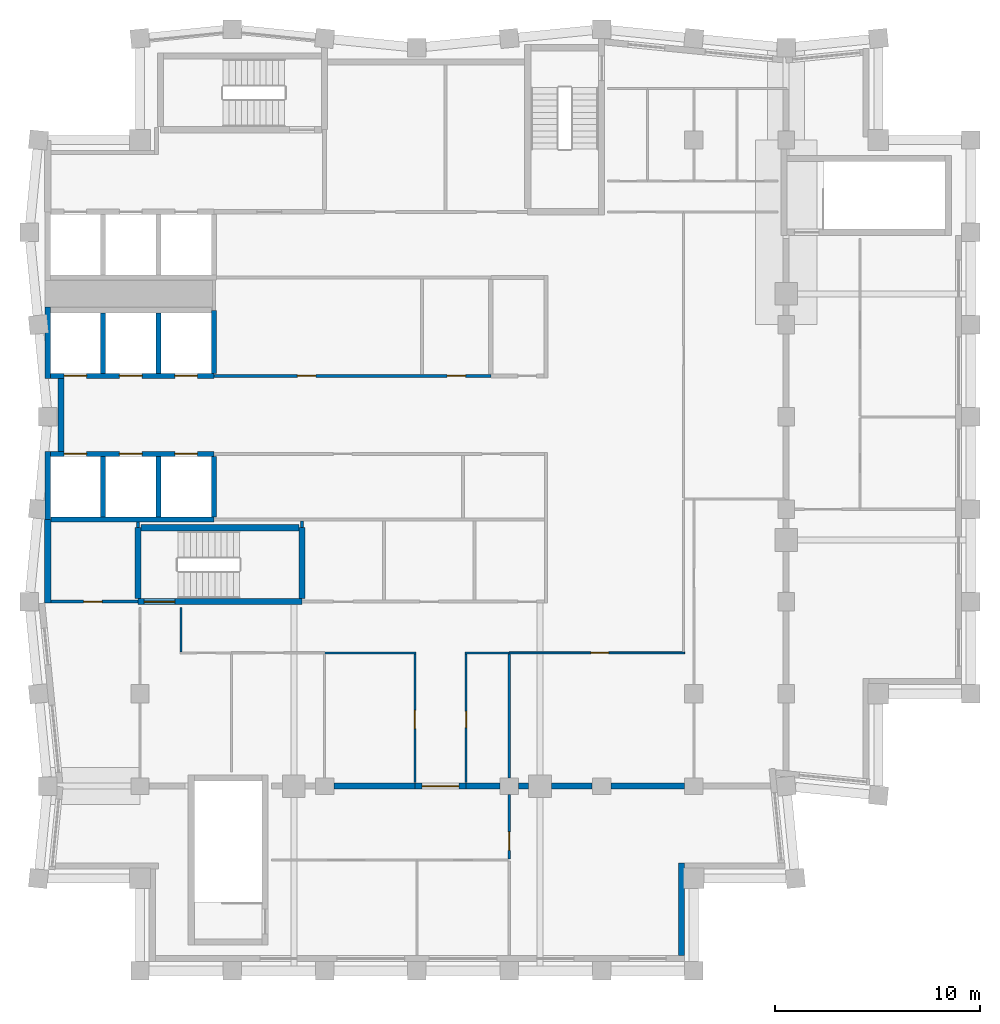
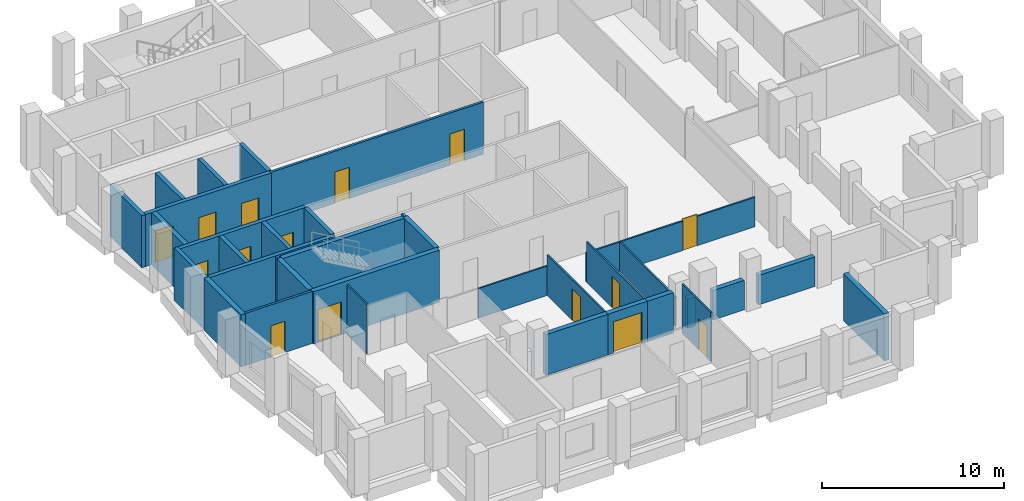
# One storey, part 3 of 7: 36 walls, 15 doors, 15 openings.
"""IFC4 building model written with IfcOpenShell, lengths in metres."""

from ifc_helpers import new_model, si_unit, direction, frame, frame_2d, origin, place, context, subcontext, project, spatial, rectangle, extrude, material, layer, layer_set, type_object, element, fill, save


model = new_model("IFC4")

# Units and contexts
model_context = context("Model", 3, precision=1e-05, world=origin(), true_north=direction((0.0, 1.0)))
body_context = subcontext(model_context, "Body", "Model", "MODEL_VIEW")
ifc_project = project(units=[si_unit("LENGTHUNIT", "METRE"), si_unit("AREAUNIT", "SQUARE_METRE"), si_unit("VOLUMEUNIT", "CUBIC_METRE"), si_unit("PLANEANGLEUNIT", "RADIAN"), si_unit("MASSUNIT", "GRAM", prefix="KILO")], contexts=[model_context])

# Site, building, storey
site_placement = place(None, origin())
site = spatial("IfcSite", under=ifc_project, at=site_placement, CompositionType="ELEMENT")
building_placement = place(site_placement, origin())
building = spatial("IfcBuilding", under=site, at=building_placement, Name="Brondeck Convention Tower", CompositionType="ELEMENT")
storey_placement = place(building_placement, frame((0.0, 0.0, 279.0)))
storey = spatial("IfcBuildingStorey", under=building, at=storey_placement, Name="L69", CompositionType="ELEMENT", Elevation=279.0)

# Wall
ifc_material_1 = material(Name="Concrete compartment wall C30/37", Category="concrete")
ifc_layer_1 = layer(ifc_material_1, 0.300048828125)
ifc_layer_set_1 = layer_set([ifc_layer_1], Name="Compartment wall 300")
wall_type_1 = type_object("IfcWallType", Name="Compartment wall 300", PredefinedType="PARTITIONING", material=ifc_layer_set_1)
wall_1_placement = place(storey_placement, frame((13.955078125, 27.0, 0.0), z_axis=(0.0, 0.0, 1.0), x_axis=(1.0, 0.0, 0.0)))
element("IfcWall", 1, at=wall_1_placement, inside=storey, type_object=wall_type_1, Name="FLR-L69-W014", PredefinedType="PARTITIONING", context=body_context, shape_type="SweptSolid", body=[
    extrude(rectangle(XDim=3.94482421875, YDim=0.300048828125, at=frame_2d((1.972412109375, 0.0))), origin(), (0.0, 0.0, 1.0), 2.72998046875),
])

# Wall, opening, door
wall_2_placement = place(storey_placement, frame((20.39990234375, 27.0, 0.0), z_axis=(0.0, 0.0, 1.0), x_axis=(-1.0, 0.0, 0.0)))
wall_2 = element("IfcWall", 2, at=wall_2_placement, inside=storey, type_object=wall_type_1, Name="FLR-L69-W015", PredefinedType="PARTITIONING", context=body_context, shape_type="SweptSolid", body=[
    extrude(rectangle(XDim=2.5, YDim=0.300048828125, at=frame_2d((1.25, 0.0))), origin(), (0.0, 0.0, 1.0), 2.72998046875),
])
opening_1_placement = place(wall_2_placement, frame((0.35009765625, 0.0, 0.0)))
opening_1 = element("IfcOpeningElement", 3, at=opening_1_placement, cuts=wall_2, Name="Opening EX-D-020", PredefinedType="OPENING", context=body_context, shape_type="SweptSolid", body=[
    extrude(rectangle(XDim=1.800048828125, YDim=2.10009765625, at=frame_2d((0.89990234375, 1.050048828125))), frame((0.0, 0.159912109375, 0.0), z_axis=(0.0, -1.0, 0.0), x_axis=(1.0, 0.0, 0.0)), (0.0, 0.0, 1.0), 0.320068359375),
])
ifc_material_2 = material(Name="Steel fire door pair", Category="steel")
door_type_1 = type_object("IfcDoorType", Name="Fire door pair 1800", OperationType="DOUBLE_DOOR_SINGLE_SWING", PredefinedType="DOOR", material=ifc_material_2)
door_1_placement = place(opening_1_placement, origin())
door_1 = element("IfcDoor", 4, at=door_1_placement, inside=storey, type_object=door_type_1, Name="Door EX-D-020", OperationType="DOUBLE_DOOR_SINGLE_SWING", OverallHeight=2.10009765625, OverallWidth=1.800048828125, PredefinedType="DOOR", context=body_context, shape_type="SweptSolid", body=[
    extrude(rectangle(XDim=1.800048828125, YDim=2.10009765625, at=frame_2d((0.89990234375, 1.050048828125))), frame((0.0, 0.02490234375, 0.0), z_axis=(0.0, -1.0, 0.0), x_axis=(1.0, 0.0, 0.0)), (0.0, 0.0, 1.0), 0.050048828125),
])
fill(opening_1, door_1)

# Walls
wall_3_placement = place(storey_placement, frame((20.39990234375, 27.0, 0.0), z_axis=(0.0, 0.0, 1.0), x_axis=(1.0, 0.0, 0.0)))
element("IfcWall", 5, at=wall_3_placement, inside=storey, type_object=wall_type_1, Name="FLR-L69-W016", PredefinedType="PARTITIONING", context=body_context, shape_type="SweptSolid", body=[
    extrude(rectangle(XDim=1.64501953125, YDim=0.300048828125, at=frame_2d((0.822509765625, 0.0))), origin(), (0.0, 0.0, 1.0), 2.72998046875),
])
wall_4_placement = place(storey_placement, frame((22.955078125, 27.0, 0.0), z_axis=(0.0, 0.0, 1.0), x_axis=(1.0, 0.0, 0.0)))
element("IfcWall", 6, at=wall_4_placement, inside=storey, type_object=wall_type_1, Name="FLR-L69-W017", PredefinedType="PARTITIONING", context=body_context, shape_type="SweptSolid", body=[
    extrude(rectangle(XDim=0.489990234375, YDim=0.300048828125, at=frame_2d((0.2451171875, 0.0))), origin(), (0.0, 0.0, 1.0), 1.97998046875),
])
wall_5_placement = place(storey_placement, frame((24.554931640625, 27.0, 0.0), z_axis=(0.0, 0.0, 1.0), x_axis=(1.0, 0.0, 0.0)))
element("IfcWall", 7, at=wall_5_placement, inside=storey, type_object=wall_type_1, Name="FLR-L69-W018", PredefinedType="PARTITIONING", context=body_context, shape_type="SweptSolid", body=[
    extrude(rectangle(XDim=1.989990234375, YDim=0.300048828125, at=frame_2d((0.9951171875, 0.0))), origin(), (0.0, 0.0, 1.0), 1.97998046875),
])
wall_6_placement = place(storey_placement, frame((27.455078125, 27.0, 0.0), z_axis=(0.0, 0.0, 1.0), x_axis=(1.0, 0.0, 0.0)))
element("IfcWall", 8, at=wall_6_placement, inside=storey, type_object=wall_type_1, Name="FLR-L69-W019", PredefinedType="PARTITIONING", context=body_context, shape_type="SweptSolid", body=[
    extrude(rectangle(XDim=3.58984375, YDim=0.300048828125, at=frame_2d((1.794921875, 0.0))), origin(), (0.0, 0.0, 1.0), 1.97998046875),
])

# Wall, opening, door
ifc_material_3 = material(Name="Concrete C50/60", Category="concrete")
ifc_layer_2 = layer(ifc_material_3, 0.14990234375)
ifc_layer_set_2 = layer_set([ifc_layer_2], Name="Core beam-seat wall 150 Concrete C50/60")
wall_type_2 = type_object("IfcWallType", Name="Core beam-seat wall 150 Concrete C50/60", PredefinedType="SHEAR", material=ifc_layer_set_2)
wall_7_placement = place(storey_placement, frame((0.14990234375, 36.0, 0.0), z_axis=(0.0, 0.0, 1.0), x_axis=(1.0, 0.0, 0.0)))
wall_7 = element("IfcWall", 9, at=wall_7_placement, inside=storey, type_object=wall_type_2, Name="L69 core wall", PredefinedType="SHEAR", context=body_context, shape_type="SweptSolid", body=[
    extrude(rectangle(XDim=4.25, YDim=0.14990234375, at=frame_2d((2.125, 0.0))), origin(), (0.0, 0.0, 1.0), 3.5),
])
opening_2_placement = place(wall_7_placement, frame((1.60009765625, 0.0, 0.0)))
opening_2 = element("IfcOpeningElement", 10, at=opening_2_placement, cuts=wall_7, Name="Opening C39-06", PredefinedType="OPENING", context=body_context, shape_type="SweptSolid", body=[
    extrude(rectangle(XDim=0.89990234375, YDim=2.10009765625, at=frame_2d((0.449951171875, 1.050048828125))), frame((0.0, 0.0849609375, 0.0), z_axis=(0.0, -1.0, 0.0), x_axis=(1.0, 0.0, 0.0)), (0.0, 0.0, 1.0), 0.169921875),
])
ifc_material_4 = material(Name="Steel fire door", Category="steel")
door_type_2 = type_object("IfcDoorType", Name="Room door 900x2100 EI 60", OperationType="NOTDEFINED", PredefinedType="DOOR", material=ifc_material_4)
door_2_placement = place(opening_2_placement, origin())
door_2 = element("IfcDoor", 11, at=door_2_placement, inside=storey, type_object=door_type_2, Name="L69 Room door FRW-1", OperationType="SINGLE_SWING_LEFT", OverallHeight=2.10009765625, OverallWidth=0.89990234375, PredefinedType="DOOR", context=body_context, shape_type="SweptSolid", body=[
    extrude(rectangle(XDim=0.89990234375, YDim=2.10009765625, at=frame_2d((0.449951171875, 1.050048828125))), frame((0.0, 0.02490234375, 0.0), z_axis=(0.0, -1.0, 0.0), x_axis=(1.0, 0.0, 0.0)), (0.0, 0.0, 1.0), 0.050048828125),
])
fill(opening_2, door_2)

# Wall, openings, doors
wall_8_placement = place(storey_placement, frame((8.10009765625, 47.0, 0.0), z_axis=(0.0, 0.0, 1.0), x_axis=(1.0, 0.0, 0.0)))
wall_8 = element("IfcWall", 12, at=wall_8_placement, inside=storey, type_object=wall_type_2, Name="L69 core wall", PredefinedType="SHEAR", context=body_context, shape_type="SweptSolid", body=[
    extrude(rectangle(XDim=13.5, YDim=0.14990234375, at=frame_2d((6.75, 0.0))), origin(), (0.0, 0.0, 1.0), 3.5),
])
opening_3_placement = place(wall_8_placement, frame((4.074951171875, 0.0, 0.0)))
opening_3 = element("IfcOpeningElement", 13, at=opening_3_placement, cuts=wall_8, Name="Opening C39-07", PredefinedType="OPENING", context=body_context, shape_type="SweptSolid", body=[
    extrude(rectangle(XDim=0.89990234375, YDim=2.10009765625, at=frame_2d((0.449951171875, 1.050048828125))), frame((0.0, 0.0849609375, 0.0), z_axis=(0.0, -1.0, 0.0), x_axis=(1.0, 0.0, 0.0)), (0.0, 0.0, 1.0), 0.169921875),
])
opening_4_placement = place(wall_8_placement, frame((11.375, 0.0, 0.0)))
opening_4 = element("IfcOpeningElement", 14, at=opening_4_placement, cuts=wall_8, Name="Opening C39-08", PredefinedType="OPENING", context=body_context, shape_type="SweptSolid", body=[
    extrude(rectangle(XDim=0.89990234375, YDim=2.10009765625, at=frame_2d((0.449951171875, 1.050048828125))), frame((0.0, 0.0849609375, 0.0), z_axis=(0.0, -1.0, 0.0), x_axis=(1.0, 0.0, 0.0)), (0.0, 0.0, 1.0), 0.169921875),
])
door_3_placement = place(opening_3_placement, origin())
door_3 = element("IfcDoor", 15, at=door_3_placement, inside=storey, type_object=door_type_2, Name="L69 Room door FZ-N-8.1-1", OperationType="SINGLE_SWING_LEFT", OverallHeight=2.10009765625, OverallWidth=0.89990234375, PredefinedType="DOOR", context=body_context, shape_type="SweptSolid", body=[
    extrude(rectangle(XDim=0.89990234375, YDim=2.10009765625, at=frame_2d((0.449951171875, 1.050048828125))), frame((0.0, 0.02490234375, 0.0), z_axis=(0.0, -1.0, 0.0), x_axis=(1.0, 0.0, 0.0)), (0.0, 0.0, 1.0), 0.050048828125),
])
fill(opening_3, door_3)
door_4_placement = place(opening_4_placement, origin())
door_4 = element("IfcDoor", 16, at=door_4_placement, inside=storey, type_object=door_type_2, Name="L69 Room door FZ-N-8.1-2", OperationType="SINGLE_SWING_RIGHT", OverallHeight=2.10009765625, OverallWidth=0.89990234375, PredefinedType="DOOR", context=body_context, shape_type="SweptSolid", body=[
    extrude(rectangle(XDim=0.89990234375, YDim=2.10009765625, at=frame_2d((0.449951171875, 1.050048828125))), frame((0.0, 0.02490234375, 0.0), z_axis=(0.0, -1.0, 0.0), x_axis=(1.0, 0.0, 0.0)), (0.0, 0.0, 1.0), 0.050048828125),
])
fill(opening_4, door_4)

# Walls
wall_9_placement = place(storey_placement, frame((4.39990234375, 39.60009765625, 0.0), z_axis=(0.0, 0.0, 1.0), x_axis=(0.0, 1.0, 0.0)))
element("IfcWall", 17, at=wall_9_placement, inside=storey, type_object=wall_type_2, Name="L69 core wall", PredefinedType="SHEAR", context=body_context, shape_type="SweptSolid", body=[
    extrude(rectangle(XDim=0.27490234375, YDim=0.14990234375, at=frame_2d((0.137451171875, 0.0))), origin(), (0.0, 0.0, 1.0), 3.5),
])
wall_10_placement = place(storey_placement, frame((12.39990234375, 39.60009765625, 0.0), z_axis=(0.0, 0.0, 1.0), x_axis=(0.0, 1.0, 0.0)))
element("IfcWall", 18, at=wall_10_placement, inside=storey, type_object=wall_type_2, Name="L69 core wall", PredefinedType="SHEAR", context=body_context, shape_type="SweptSolid", body=[
    extrude(rectangle(XDim=0.324951171875, YDim=0.14990234375, at=frame_2d((0.16259765625, 0.0))), origin(), (0.0, 0.0, 1.0), 3.5),
])
ifc_layer_3 = layer(ifc_material_3, 0.300048828125)
ifc_layer_set_3 = layer_set([ifc_layer_3], Name="Core outer wall 300 Concrete C50/60")
wall_type_3 = type_object("IfcWallType", Name="Core outer wall 300 Concrete C50/60", PredefinedType="SHEAR", material=ifc_layer_set_3)
wall_11_placement = place(storey_placement, frame((0.0, 35.925048828125, 0.0), z_axis=(0.0, 0.0, 1.0), x_axis=(0.0, 1.0, 0.0)))
element("IfcWall", 19, at=wall_11_placement, inside=storey, type_object=wall_type_3, Name="L69 core wall", PredefinedType="SHEAR", context=body_context, shape_type="SweptSolid", body=[
    extrude(rectangle(XDim=4.074951171875, YDim=0.300048828125, at=frame_2d((2.03759765625, 0.0))), origin(), (0.0, 0.0, 1.0), 3.5),
])
wall_12_placement = place(storey_placement, frame((0.64990234375, 43.324951171875, 0.0), z_axis=(0.0, 0.0, 1.0), x_axis=(0.0, 1.0, 0.0)))
element("IfcWall", 20, at=wall_12_placement, inside=storey, type_object=wall_type_3, Name="L69 core wall", PredefinedType="SHEAR", context=body_context, shape_type="SweptSolid", body=[
    extrude(rectangle(XDim=3.550048828125, YDim=0.300048828125, at=frame_2d((1.77490234375, 0.0))), origin(), (0.0, 0.0, 1.0), 3.5),
])
ifc_material_5 = material(Name="Precast concrete C50/60 bronze finish", Category="concrete")
ifc_layer_4 = layer(ifc_material_5, 0.070068359375, Name="Bronze precast facing")
ifc_material_6 = material(Name="Mineral wool")
ifc_layer_5 = layer(ifc_material_6, 0.159912109375, Name="Insulation")
ifc_material_7 = material(Name="Concrete C35/45", Category="concrete")
ifc_layer_6 = layer(ifc_material_7, 0.070068359375, Name="Backing")
ifc_layer_set_4 = layer_set([ifc_layer_4, ifc_layer_5, ifc_layer_6], Name="External infill wall, precast concrete C50/60 bronze facing")
wall_type_4 = type_object("IfcWallType", Name="External infill wall, precast concrete C50/60 bronze facing", PredefinedType="SOLIDWALL", material=ifc_layer_set_4)
wall_13_placement = place(storey_placement, frame((30.89990234375, 23.25, 0.0), z_axis=(0.0, 0.0, 1.0), x_axis=(0.0, -1.0, 0.0)))
element("IfcWall", 21, at=wall_13_placement, inside=storey, type_object=wall_type_4, Name="ENV-EW-L69-P3-NC-SEB18-01", PredefinedType="SOLIDWALL", context=body_context, shape_type="SweptSolid", body=[
    extrude(rectangle(XDim=4.5, YDim=0.300048828125, at=frame_2d((2.25, 0.0))), origin(), (0.0, 0.0, 1.0), 3.14990234375),
])
ifc_layer_7 = layer(ifc_material_3, 0.25)
ifc_layer_set_5 = layer_set([ifc_layer_7], Name="Lift shaft wall 250 Concrete C50/60")
wall_type_5 = type_object("IfcWallType", Name="Lift shaft wall 250 Concrete C50/60", PredefinedType="SHEAR", material=ifc_layer_set_5)
wall_14_placement = place(storey_placement, frame((0.14990234375, 40.0, 0.0), z_axis=(0.0, 0.0, 1.0), x_axis=(1.0, 0.0, 0.0)))
element("IfcWall", 22, at=wall_14_placement, inside=storey, type_object=wall_type_5, Name="L69 core wall", PredefinedType="SHEAR", context=body_context, shape_type="SweptSolid", body=[
    extrude(rectangle(XDim=7.9501953125, YDim=0.25, at=frame_2d((3.97509765625, 0.0))), origin(), (0.0, 0.0, 1.0), 3.5),
])

# Wall, openings, doors
wall_15_placement = place(storey_placement, frame((0.125, 43.199951171875, 0.0), z_axis=(0.0, 0.0, 1.0), x_axis=(1.0, 0.0, 0.0)))
wall_15 = element("IfcWall", 23, at=wall_15_placement, inside=storey, type_object=wall_type_5, Name="L69 core wall", PredefinedType="SHEAR", context=body_context, shape_type="SweptSolid", body=[
    extrude(rectangle(XDim=7.97509765625, YDim=0.25, at=frame_2d((3.987548828125, 0.0))), origin(), (0.0, 0.0, 1.0), 3.5),
])
opening_5_placement = place(wall_15_placement, frame((0.675048828125, 0.0, 0.0)))
opening_5 = element("IfcOpeningElement", 24, at=opening_5_placement, cuts=wall_15, Name="Opening C39-21", PredefinedType="OPENING", context=body_context, shape_type="SweptSolid", body=[
    extrude(rectangle(XDim=1.10009765625, YDim=2.10009765625, at=frame_2d((0.550048828125, 1.050048828125))), frame((0.0, 0.135009765625, 0.0), z_axis=(0.0, -1.0, 0.0), x_axis=(1.0, 0.0, 0.0)), (0.0, 0.0, 1.0), 0.27001953125),
])
opening_6_placement = place(wall_15_placement, frame((3.375, 0.0, 0.0)))
opening_6 = element("IfcOpeningElement", 25, at=opening_6_placement, cuts=wall_15, Name="Opening C39-22", PredefinedType="OPENING", context=body_context, shape_type="SweptSolid", body=[
    extrude(rectangle(XDim=1.10009765625, YDim=2.10009765625, at=frame_2d((0.550048828125, 1.050048828125))), frame((0.0, 0.135009765625, 0.0), z_axis=(0.0, -1.0, 0.0), x_axis=(1.0, 0.0, 0.0)), (0.0, 0.0, 1.0), 0.27001953125),
])
opening_7_placement = place(wall_15_placement, frame((6.074951171875, 0.0, 0.0)))
opening_7 = element("IfcOpeningElement", 26, at=opening_7_placement, cuts=wall_15, Name="Opening C39-23", PredefinedType="OPENING", context=body_context, shape_type="SweptSolid", body=[
    extrude(rectangle(XDim=1.10009765625, YDim=2.10009765625, at=frame_2d((0.550048828125, 1.050048828125))), frame((0.0, 0.135009765625, 0.0), z_axis=(0.0, -1.0, 0.0), x_axis=(1.0, 0.0, 0.0)), (0.0, 0.0, 1.0), 0.27001953125),
])
ifc_material_8 = material(Name="Stainless steel lift door", Category="steel")
door_type_3 = type_object("IfcDoorType", Name="Lift landing door 1100x2100 EI 180", OperationType="DOUBLE_DOOR_SLIDING", PredefinedType="DOOR", material=ifc_material_8)
door_5_placement = place(opening_5_placement, origin())
door_5 = element("IfcDoor", 27, at=door_5_placement, inside=storey, type_object=door_type_3, Name="L69 Lift landing door HR1", OperationType="DOUBLE_DOOR_SLIDING", OverallHeight=2.10009765625, OverallWidth=1.10009765625, PredefinedType="DOOR", context=body_context, shape_type="SweptSolid", body=[
    extrude(rectangle(XDim=1.10009765625, YDim=2.10009765625, at=frame_2d((0.550048828125, 1.050048828125))), frame((0.0, 0.02490234375, 0.0), z_axis=(0.0, -1.0, 0.0), x_axis=(1.0, 0.0, 0.0)), (0.0, 0.0, 1.0), 0.050048828125),
])
fill(opening_5, door_5)
door_6_placement = place(opening_6_placement, origin())
door_6 = element("IfcDoor", 28, at=door_6_placement, inside=storey, type_object=door_type_3, Name="L69 Lift landing door HR2", OperationType="DOUBLE_DOOR_SLIDING", OverallHeight=2.10009765625, OverallWidth=1.10009765625, PredefinedType="DOOR", context=body_context, shape_type="SweptSolid", body=[
    extrude(rectangle(XDim=1.10009765625, YDim=2.10009765625, at=frame_2d((0.550048828125, 1.050048828125))), frame((0.0, 0.02490234375, 0.0), z_axis=(0.0, -1.0, 0.0), x_axis=(1.0, 0.0, 0.0)), (0.0, 0.0, 1.0), 0.050048828125),
])
fill(opening_6, door_6)
door_7_placement = place(opening_7_placement, origin())
door_7 = element("IfcDoor", 29, at=door_7_placement, inside=storey, type_object=door_type_3, Name="L69 Lift landing door HR3", OperationType="DOUBLE_DOOR_SLIDING", OverallHeight=2.10009765625, OverallWidth=1.10009765625, PredefinedType="DOOR", context=body_context, shape_type="SweptSolid", body=[
    extrude(rectangle(XDim=1.10009765625, YDim=2.10009765625, at=frame_2d((0.550048828125, 1.050048828125))), frame((0.0, 0.02490234375, 0.0), z_axis=(0.0, -1.0, 0.0), x_axis=(1.0, 0.0, 0.0)), (0.0, 0.0, 1.0), 0.050048828125),
])
fill(opening_7, door_7)

wall_16_placement = place(storey_placement, frame((0.125, 47.0, 0.0), z_axis=(0.0, 0.0, 1.0), x_axis=(1.0, 0.0, 0.0)))
wall_16 = element("IfcWall", 30, at=wall_16_placement, inside=storey, type_object=wall_type_5, Name="L69 core wall", PredefinedType="SHEAR", context=body_context, shape_type="SweptSolid", body=[
    extrude(rectangle(XDim=7.97509765625, YDim=0.25, at=frame_2d((3.987548828125, 0.0))), origin(), (0.0, 0.0, 1.0), 3.5),
])
opening_8_placement = place(wall_16_placement, frame((0.675048828125, 0.0, 0.0)))
opening_8 = element("IfcOpeningElement", 31, at=opening_8_placement, cuts=wall_16, Name="Opening C39-24", PredefinedType="OPENING", context=body_context, shape_type="SweptSolid", body=[
    extrude(rectangle(XDim=1.10009765625, YDim=2.10009765625, at=frame_2d((0.550048828125, 1.050048828125))), frame((0.0, 0.135009765625, 0.0), z_axis=(0.0, -1.0, 0.0), x_axis=(1.0, 0.0, 0.0)), (0.0, 0.0, 1.0), 0.27001953125),
])
opening_9_placement = place(wall_16_placement, frame((3.375, 0.0, 0.0)))
opening_9 = element("IfcOpeningElement", 32, at=opening_9_placement, cuts=wall_16, Name="Opening C39-25", PredefinedType="OPENING", context=body_context, shape_type="SweptSolid", body=[
    extrude(rectangle(XDim=1.10009765625, YDim=2.10009765625, at=frame_2d((0.550048828125, 1.050048828125))), frame((0.0, 0.135009765625, 0.0), z_axis=(0.0, -1.0, 0.0), x_axis=(1.0, 0.0, 0.0)), (0.0, 0.0, 1.0), 0.27001953125),
])
opening_10_placement = place(wall_16_placement, frame((6.074951171875, 0.0, 0.0)))
opening_10 = element("IfcOpeningElement", 33, at=opening_10_placement, cuts=wall_16, Name="Opening C39-26", PredefinedType="OPENING", context=body_context, shape_type="SweptSolid", body=[
    extrude(rectangle(XDim=1.10009765625, YDim=2.10009765625, at=frame_2d((0.550048828125, 1.050048828125))), frame((0.0, 0.135009765625, 0.0), z_axis=(0.0, -1.0, 0.0), x_axis=(1.0, 0.0, 0.0)), (0.0, 0.0, 1.0), 0.27001953125),
])
door_8_placement = place(opening_8_placement, origin())
door_8 = element("IfcDoor", 34, at=door_8_placement, inside=storey, type_object=door_type_3, Name="L69 Lift landing door HR4", OperationType="DOUBLE_DOOR_SLIDING", OverallHeight=2.10009765625, OverallWidth=1.10009765625, PredefinedType="DOOR", context=body_context, shape_type="SweptSolid", body=[
    extrude(rectangle(XDim=1.10009765625, YDim=2.10009765625, at=frame_2d((0.550048828125, 1.050048828125))), frame((0.0, 0.02490234375, 0.0), z_axis=(0.0, -1.0, 0.0), x_axis=(1.0, 0.0, 0.0)), (0.0, 0.0, 1.0), 0.050048828125),
])
fill(opening_8, door_8)
door_9_placement = place(opening_9_placement, origin())
door_9 = element("IfcDoor", 35, at=door_9_placement, inside=storey, type_object=door_type_3, Name="L69 Lift landing door HR5", OperationType="DOUBLE_DOOR_SLIDING", OverallHeight=2.10009765625, OverallWidth=1.10009765625, PredefinedType="DOOR", context=body_context, shape_type="SweptSolid", body=[
    extrude(rectangle(XDim=1.10009765625, YDim=2.10009765625, at=frame_2d((0.550048828125, 1.050048828125))), frame((0.0, 0.02490234375, 0.0), z_axis=(0.0, -1.0, 0.0), x_axis=(1.0, 0.0, 0.0)), (0.0, 0.0, 1.0), 0.050048828125),
])
fill(opening_9, door_9)
door_10_placement = place(opening_10_placement, origin())
door_10 = element("IfcDoor", 36, at=door_10_placement, inside=storey, type_object=door_type_3, Name="L69 Lift landing door HR6", OperationType="DOUBLE_DOOR_SLIDING", OverallHeight=2.10009765625, OverallWidth=1.10009765625, PredefinedType="DOOR", context=body_context, shape_type="SweptSolid", body=[
    extrude(rectangle(XDim=1.10009765625, YDim=2.10009765625, at=frame_2d((0.550048828125, 1.050048828125))), frame((0.0, 0.02490234375, 0.0), z_axis=(0.0, -1.0, 0.0), x_axis=(1.0, 0.0, 0.0)), (0.0, 0.0, 1.0), 0.050048828125),
])
fill(opening_10, door_10)

# Walls
wall_17_placement = place(storey_placement, frame((0.0, 40.0, 0.0), z_axis=(0.0, 0.0, 1.0), x_axis=(0.0, 1.0, 0.0)))
element("IfcWall", 37, at=wall_17_placement, inside=storey, type_object=wall_type_5, Name="L69 core wall", PredefinedType="SHEAR", context=body_context, shape_type="SweptSolid", body=[
    extrude(rectangle(XDim=3.324951171875, YDim=0.25, at=frame_2d((1.66259765625, 0.0))), origin(), (0.0, 0.0, 1.0), 3.5),
])
wall_18_placement = place(storey_placement, frame((0.0, 46.875, 0.0), z_axis=(0.0, 0.0, 1.0), x_axis=(0.0, 1.0, 0.0)))
element("IfcWall", 38, at=wall_18_placement, inside=storey, type_object=wall_type_5, Name="L69 core wall", PredefinedType="SHEAR", context=body_context, shape_type="SweptSolid", body=[
    extrude(rectangle(XDim=3.47509765625, YDim=0.25, at=frame_2d((1.737548828125, 0.0))), origin(), (0.0, 0.0, 1.0), 3.5),
])
for number, where, z_axis, x_axis, name in (
    (39, (2.699951171875, 40.125, 0.0), (0.0, 0.0, 1.0), (0.0, 1.0, 0.0), "L69 core wall"),
    (40, (2.699951171875, 47.125, 0.0), (0.0, 0.0, 1.0), (0.0, 1.0, 0.0), "L69 core wall"),
    (41, (5.39990234375, 40.125, 0.0), (0.0, 0.0, 1.0), (0.0, 1.0, 0.0), "L69 core wall"),
    (42, (5.39990234375, 47.125, 0.0), (0.0, 0.0, 1.0), (0.0, 1.0, 0.0), "L69 core wall"),
    (43, (8.10009765625, 40.125, 0.0), (0.0, 0.0, 1.0), (0.0, 1.0, 0.0), "L69 core wall"),
):
    element("IfcWall", number, at=place(storey_placement, frame(where, z_axis=z_axis, x_axis=x_axis)), inside=storey, type_object=wall_type_5, Name=name, PredefinedType="SHEAR", context=body_context, shape_type="SweptSolid", body=[
        extrude(rectangle(XDim=2.949951171875, YDim=0.25, at=frame_2d((1.47509765625, 0.0))), origin(), (0.0, 0.0, 1.0), 3.5),
    ])
wall_19_placement = place(storey_placement, frame((8.10009765625, 47.125, 0.0), z_axis=(0.0, 0.0, 1.0), x_axis=(0.0, 1.0, 0.0)))
element("IfcWall", 44, at=wall_19_placement, inside=storey, type_object=wall_type_5, Name="L69 core wall", PredefinedType="SHEAR", context=body_context, shape_type="SweptSolid", body=[
    extrude(rectangle(XDim=3.074951171875, YDim=0.25, at=frame_2d((1.53759765625, 0.0))), origin(), (0.0, 0.0, 1.0), 3.5),
])

# Wall, opening, door
ifc_material_9 = material(Name="Gypsum board partition on steel studs", Category="steel")
ifc_layer_8 = layer(ifc_material_9, 0.10009765625)
ifc_layer_set_6 = layer_set([ifc_layer_8], Name="Room partition 100")
wall_type_6 = type_object("IfcWallType", Name="Room partition 100", PredefinedType="PARTITIONING", material=ifc_layer_set_6)
wall_20_placement = place(storey_placement, frame((22.5, 26.594970703125, 0.0), z_axis=(0.0, 0.0, 1.0), x_axis=(0.0, -1.0, 0.0)))
wall_20 = element("IfcWall", 45, at=wall_20_placement, inside=storey, type_object=wall_type_6, Name="FLR-L69-W009", PredefinedType="PARTITIONING", context=body_context, shape_type="SweptSolid", body=[
    extrude(rectangle(XDim=3.14501953125, YDim=0.10009765625, at=frame_2d((1.572509765625, 0.0))), origin(), (0.0, 0.0, 1.0), 3.330078125),
])
opening_11_placement = place(wall_20_placement, frame((1.820068359375, 0.0, 0.0)))
opening_11 = element("IfcOpeningElement", 46, at=opening_11_placement, cuts=wall_20, Name="Opening EX-D-006", PredefinedType="OPENING", context=body_context, shape_type="SweptSolid", body=[
    extrude(rectangle(XDim=0.89990234375, YDim=2.10009765625, at=frame_2d((0.449951171875, 1.050048828125))), frame((0.0, 0.06005859375, 0.0), z_axis=(0.0, -1.0, 0.0), x_axis=(1.0, 0.0, 0.0)), (0.0, 0.0, 1.0), 0.1201171875),
])
ifc_material_10 = material(Name="Solid timber door leaf", Category="wood")
door_type_4 = type_object("IfcDoorType", Name="Single door 900", OperationType="NOTDEFINED", PredefinedType="DOOR", material=ifc_material_10)
door_11_placement = place(opening_11_placement, origin())
door_11 = element("IfcDoor", 47, at=door_11_placement, inside=storey, type_object=door_type_4, Name="Door EX-D-006", OperationType="SINGLE_SWING_LEFT", OverallHeight=2.10009765625, OverallWidth=0.89990234375, PredefinedType="DOOR", context=body_context, shape_type="SweptSolid", body=[
    extrude(rectangle(XDim=0.89990234375, YDim=2.10009765625, at=frame_2d((0.449951171875, 1.050048828125))), frame((0.0, 0.02490234375, 0.0), z_axis=(0.0, -1.0, 0.0), x_axis=(1.0, 0.0, 0.0)), (0.0, 0.0, 1.0), 0.050048828125),
])
fill(opening_11, door_11)

wall_21_placement = place(storey_placement, frame((17.89990234375, 27.169921875, 0.0), z_axis=(0.0, 0.0, 1.0), x_axis=(0.0, 1.0, 0.0)))
wall_21 = element("IfcWall", 48, at=wall_21_placement, inside=storey, type_object=wall_type_6, Name="FLR-L69-W021", PredefinedType="PARTITIONING", context=body_context, shape_type="SweptSolid", body=[
    extrude(rectangle(XDim=6.280029296875, YDim=0.10009765625, at=frame_2d((3.14013671875, 0.0))), origin(), (0.0, 0.0, 1.0), 2.72998046875),
])
opening_12_placement = place(wall_21_placement, frame((2.6298828125, 0.0, 0.0)))
opening_12 = element("IfcOpeningElement", 49, at=opening_12_placement, cuts=wall_21, Name="Opening EX-D-014", PredefinedType="OPENING", context=body_context, shape_type="SweptSolid", body=[
    extrude(rectangle(XDim=0.89990234375, YDim=2.10009765625, at=frame_2d((0.449951171875, 1.050048828125))), frame((0.0, 0.06005859375, 0.0), z_axis=(0.0, -1.0, 0.0), x_axis=(1.0, 0.0, 0.0)), (0.0, 0.0, 1.0), 0.1201171875),
])
door_12_placement = place(opening_12_placement, origin())
door_12 = element("IfcDoor", 50, at=door_12_placement, inside=storey, type_object=door_type_4, Name="Door EX-D-014", OperationType="SINGLE_SWING_RIGHT", OverallHeight=2.10009765625, OverallWidth=0.89990234375, PredefinedType="DOOR", context=body_context, shape_type="SweptSolid", body=[
    extrude(rectangle(XDim=0.89990234375, YDim=2.10009765625, at=frame_2d((0.449951171875, 1.050048828125))), frame((0.0, 0.02490234375, 0.0), z_axis=(0.0, -1.0, 0.0), x_axis=(1.0, 0.0, 0.0)), (0.0, 0.0, 1.0), 0.050048828125),
])
fill(opening_12, door_12)

wall_22_placement = place(storey_placement, frame((20.39990234375, 33.449951171875, 0.0), z_axis=(0.0, 0.0, 1.0), x_axis=(0.0, -1.0, 0.0)))
wall_22 = element("IfcWall", 51, at=wall_22_placement, inside=storey, type_object=wall_type_6, Name="FLR-L69-W031", PredefinedType="PARTITIONING", context=body_context, shape_type="SweptSolid", body=[
    extrude(rectangle(XDim=6.280029296875, YDim=0.10009765625, at=frame_2d((3.14013671875, 0.0))), origin(), (0.0, 0.0, 1.0), 2.72998046875),
])
opening_13_placement = place(wall_22_placement, frame((2.800048828125, 0.0, 0.0)))
opening_13 = element("IfcOpeningElement", 52, at=opening_13_placement, cuts=wall_22, Name="Opening EX-D-015", PredefinedType="OPENING", context=body_context, shape_type="SweptSolid", body=[
    extrude(rectangle(XDim=0.800048828125, YDim=2.10009765625, at=frame_2d((0.39990234375, 1.050048828125))), frame((0.0, 0.06005859375, 0.0), z_axis=(0.0, -1.0, 0.0), x_axis=(1.0, 0.0, 0.0)), (0.0, 0.0, 1.0), 0.1201171875),
])
door_type_5 = type_object("IfcDoorType", Name="En-suite door 800", OperationType="NOTDEFINED", PredefinedType="DOOR", material=ifc_material_10)
door_13_placement = place(opening_13_placement, origin())
door_13 = element("IfcDoor", 53, at=door_13_placement, inside=storey, type_object=door_type_5, Name="Door EX-D-015", OperationType="SINGLE_SWING_LEFT", OverallHeight=2.10009765625, OverallWidth=0.800048828125, PredefinedType="DOOR", context=body_context, shape_type="SweptSolid", body=[
    extrude(rectangle(XDim=0.800048828125, YDim=2.10009765625, at=frame_2d((0.39990234375, 1.050048828125))), frame((0.0, 0.02490234375, 0.0), z_axis=(0.0, -1.0, 0.0), x_axis=(1.0, 0.0, 0.0)), (0.0, 0.0, 1.0), 0.050048828125),
])
fill(opening_13, door_13)

# Walls
wall_23_placement = place(storey_placement, frame((22.5, 33.449951171875, 0.0), z_axis=(0.0, 0.0, 1.0), x_axis=(0.0, -1.0, 0.0)))
element("IfcWall", 54, at=wall_23_placement, inside=storey, type_object=wall_type_6, Name="FLR-L69-W032", PredefinedType="PARTITIONING", context=body_context, shape_type="SweptSolid", body=[
    extrude(rectangle(XDim=6.044921875, YDim=0.10009765625, at=frame_2d((3.0224609375, 0.0))), origin(), (0.0, 0.0, 1.0), 1.97998046875),
])
wall_24_placement = place(storey_placement, frame((17.949951171875, 33.5, 0.0), z_axis=(0.0, 0.0, 1.0), x_axis=(-1.0, 0.0, 0.0)))
element("IfcWall", 55, at=wall_24_placement, inside=storey, type_object=wall_type_6, Name="FLR-L69-W035", PredefinedType="PARTITIONING", context=body_context, shape_type="SweptSolid", body=[
    extrude(rectangle(XDim=4.449951171875, YDim=0.10009765625, at=frame_2d((2.22509765625, 0.0))), origin(), (0.0, 0.0, 1.0), 1.97998046875),
])
wall_25_placement = place(storey_placement, frame((22.5, 33.5, 0.0), z_axis=(0.0, 0.0, 1.0), x_axis=(-1.0, 0.0, 0.0)))
element("IfcWall", 56, at=wall_25_placement, inside=storey, type_object=wall_type_6, Name="FLR-L69-W036", PredefinedType="PARTITIONING", context=body_context, shape_type="SweptSolid", body=[
    extrude(rectangle(XDim=2.14990234375, YDim=0.10009765625, at=frame_2d((1.074951171875, 0.0))), origin(), (0.0, 0.0, 1.0), 1.97998046875),
])

# Wall, opening, door
wall_26_placement = place(storey_placement, frame((31.050048828125, 33.5, 0.0), z_axis=(0.0, 0.0, 1.0), x_axis=(-1.0, 0.0, 0.0)))
wall_26 = element("IfcWall", 57, at=wall_26_placement, inside=storey, type_object=wall_type_6, Name="FLR-L69-W037", PredefinedType="PARTITIONING", context=body_context, shape_type="SweptSolid", body=[
    extrude(rectangle(XDim=8.550048828125, YDim=0.10009765625, at=frame_2d((4.27490234375, 0.0))), origin(), (0.0, 0.0, 1.0), 1.97998046875),
])
opening_14_placement = place(wall_26_placement, frame((3.6875, 0.0, 0.0)))
opening_14 = element("IfcOpeningElement", 58, at=opening_14_placement, cuts=wall_26, Name="Opening EX-D-016", PredefinedType="OPENING", context=body_context, shape_type="SweptSolid", body=[
    extrude(rectangle(XDim=0.89990234375, YDim=2.10009765625, at=frame_2d((0.449951171875, 1.050048828125))), frame((0.0, 0.06005859375, 0.0), z_axis=(0.0, -1.0, 0.0), x_axis=(1.0, 0.0, 0.0)), (0.0, 0.0, 1.0), 0.1201171875),
])
door_14_placement = place(opening_14_placement, origin())
door_14 = element("IfcDoor", 59, at=door_14_placement, inside=storey, type_object=door_type_4, Name="Door EX-D-016", OperationType="SINGLE_SWING_LEFT", OverallHeight=2.10009765625, OverallWidth=0.89990234375, PredefinedType="DOOR", context=body_context, shape_type="SweptSolid", body=[
    extrude(rectangle(XDim=0.89990234375, YDim=2.10009765625, at=frame_2d((0.449951171875, 1.050048828125))), frame((0.0, 0.02490234375, 0.0), z_axis=(0.0, -1.0, 0.0), x_axis=(1.0, 0.0, 0.0)), (0.0, 0.0, 1.0), 0.050048828125),
])
fill(opening_14, door_14)

# Wall
wall_27_placement = place(storey_placement, frame((6.5, 33.550048828125, 0.0), z_axis=(0.0, 0.0, 1.0), x_axis=(0.0, 1.0, 0.0)))
element("IfcWall", 60, at=wall_27_placement, inside=storey, type_object=wall_type_6, Name="FLR-L69-W038", PredefinedType="PARTITIONING", context=body_context, shape_type="SweptSolid", body=[
    extrude(rectangle(XDim=2.14990234375, YDim=0.10009765625, at=frame_2d((1.074951171875, 0.0))), origin(), (0.0, 0.0, 1.0), 3.330078125),
])

# Wall, opening, door
ifc_layer_9 = layer(ifc_material_3, 0.300048828125)
ifc_layer_set_7 = layer_set([ifc_layer_9], Name="Stair enclosure wall 300 Concrete C50/60")
wall_type_7 = type_object("IfcWallType", Name="Stair enclosure wall 300 Concrete C50/60", PredefinedType="SHEAR", material=ifc_layer_set_7)
wall_28_placement = place(storey_placement, frame((4.39990234375, 36.0, 0.0), z_axis=(0.0, 0.0, 1.0), x_axis=(1.0, 0.0, 0.0)))
wall_28 = element("IfcWall", 61, at=wall_28_placement, inside=storey, type_object=wall_type_7, Name="L69 core wall", PredefinedType="SHEAR", context=body_context, shape_type="SweptSolid", body=[
    extrude(rectangle(XDim=8.0, YDim=0.300048828125, at=frame_2d((4.0, 0.0))), origin(), (0.0, 0.0, 1.0), 3.5),
])
opening_15_placement = place(wall_28_placement, frame((0.300048828125, 0.0, 0.0)))
opening_15 = element("IfcOpeningElement", 62, at=opening_15_placement, cuts=wall_28, Name="Opening C39-13", PredefinedType="OPENING", context=body_context, shape_type="SweptSolid", body=[
    extrude(rectangle(XDim=1.5, YDim=2.199951171875, at=frame_2d((0.75, 1.10009765625))), frame((0.0, 0.159912109375, 0.0), z_axis=(0.0, -1.0, 0.0), x_axis=(1.0, 0.0, 0.0)), (0.0, 0.0, 1.0), 0.320068359375),
])
door_type_6 = type_object("IfcDoorType", Name="Stair door 1500x2200 EI 90", OperationType="NOTDEFINED", PredefinedType="DOOR", material=ifc_material_4)
door_15_placement = place(opening_15_placement, origin())
door_15 = element("IfcDoor", 63, at=door_15_placement, inside=storey, type_object=door_type_6, Name="L69 Stair door ST-1", OperationType="SINGLE_SWING_RIGHT", OverallHeight=2.199951171875, OverallWidth=1.5, PredefinedType="DOOR", context=body_context, shape_type="SweptSolid", body=[
    extrude(rectangle(XDim=1.5, YDim=2.199951171875, at=frame_2d((0.75, 1.10009765625))), frame((0.0, 0.02490234375, 0.0), z_axis=(0.0, -1.0, 0.0), x_axis=(1.0, 0.0, 0.0)), (0.0, 0.0, 1.0), 0.050048828125),
])
fill(opening_15, door_15)

# Walls
wall_29_placement = place(storey_placement, frame((4.550048828125, 39.60009765625, 0.0), z_axis=(0.0, 0.0, 1.0), x_axis=(1.0, 0.0, 0.0)))
element("IfcWall", 64, at=wall_29_placement, inside=storey, type_object=wall_type_7, Name="L69 core wall", PredefinedType="SHEAR", context=body_context, shape_type="SweptSolid", body=[
    extrude(rectangle(XDim=7.699951171875, YDim=0.300048828125, at=frame_2d((3.85009765625, 0.0))), origin(), (0.0, 0.0, 1.0), 3.5),
])
for number, where, z_axis, x_axis, name in (
    (65, (4.39990234375, 36.14990234375, 0.0), (0.0, 0.0, 1.0), (0.0, 1.0, 0.0), "L69 core wall"),
    (66, (12.39990234375, 36.14990234375, 0.0), (0.0, 0.0, 1.0), (0.0, 1.0, 0.0), "L69 core wall"),
):
    element("IfcWall", number, at=place(storey_placement, frame(where, z_axis=z_axis, x_axis=x_axis)), inside=storey, type_object=wall_type_7, Name=name, PredefinedType="SHEAR", context=body_context, shape_type="SweptSolid", body=[
        extrude(rectangle(XDim=3.4501953125, YDim=0.300048828125, at=frame_2d((1.72509765625, 0.0))), origin(), (0.0, 0.0, 1.0), 3.5),
    ])

save(model, "model.ifc")
